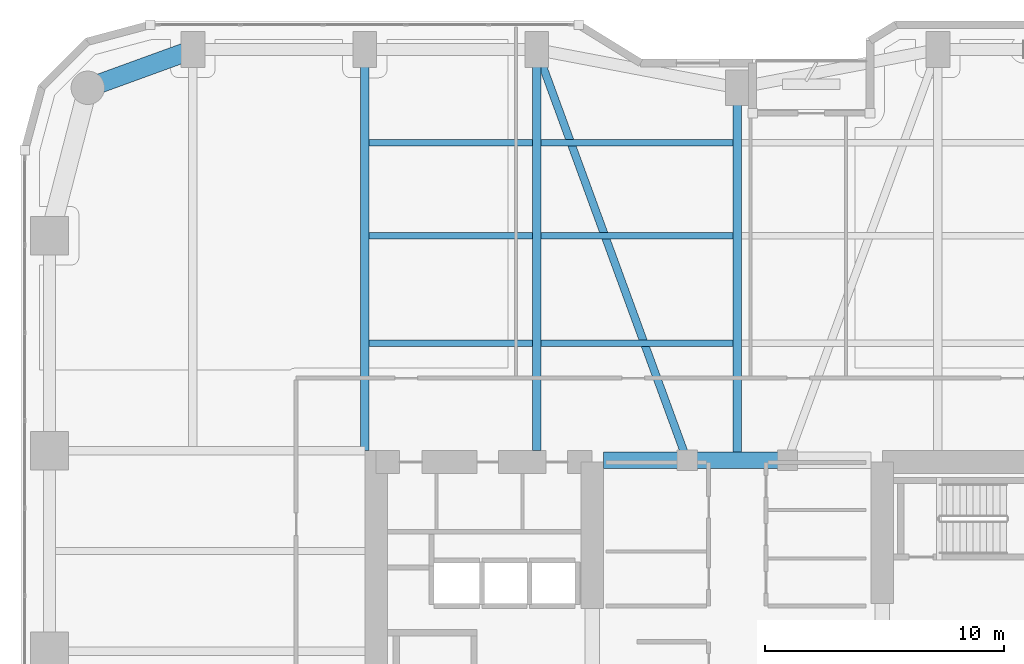
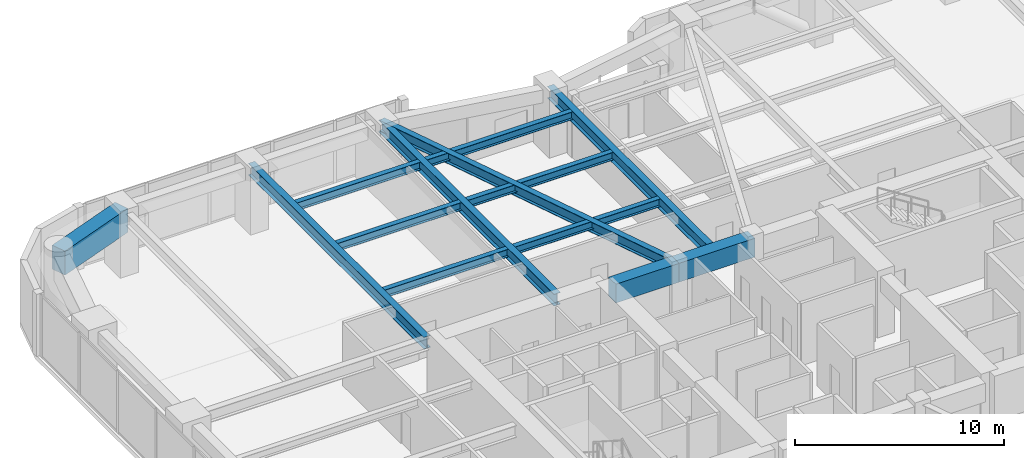
# One storey, part 15 of 28: 13 beams.
"""IFC4 building model written with IfcOpenShell, lengths in metres."""

from ifc_helpers import new_model, si_unit, direction, frame, origin, origin_2d, place, context, subcontext, project, spatial, rectangle, i_section, extrude, material, material_profile, profile_set, type_object, element, save


model = new_model("IFC4")

# Units and contexts
model_context = context("Model", 3, precision=1e-05, world=origin(), true_north=direction((0.0, 1.0)))
body_context = subcontext(model_context, "Body", "Model", "MODEL_VIEW")
ifc_project = project(units=[si_unit("LENGTHUNIT", "METRE"), si_unit("AREAUNIT", "SQUARE_METRE"), si_unit("VOLUMEUNIT", "CUBIC_METRE"), si_unit("PLANEANGLEUNIT", "RADIAN"), si_unit("MASSUNIT", "GRAM", prefix="KILO")], contexts=[model_context])

# Site, building, storey
site_placement = place(None, origin())
site = spatial("IfcSite", under=ifc_project, at=site_placement, CompositionType="ELEMENT")
building_placement = place(site_placement, origin())
building = spatial("IfcBuilding", under=site, at=building_placement, Name="Kiyonajd Concourse Tower", CompositionType="ELEMENT")
storey_placement = place(building_placement, frame((0.0, 0.0, 64.5)))
storey = spatial("IfcBuildingStorey", under=building, at=storey_placement, Name="L17", CompositionType="ELEMENT", Elevation=64.5)

# Beams
ifc_material_1 = material(Name="Concrete C70/85", Category="concrete")
ifc_material_profile_1 = material_profile(ifc_material_1, rectangle(XDim=0.699951171875, YDim=1.10009765625, at=origin_2d()), Name="RCBM-700x1100")
ifc_profile_set_1 = profile_set([ifc_material_profile_1], Name="Concrete C70/85")
beam_type_1 = type_object("IfcBeamType", Name="BM-COUP-1100", PredefinedType="LINTEL", material=ifc_profile_set_1)
beam_1_placement = place(storey_placement, frame((42.39990234375, 44.0, 3.090087890625), z_axis=(1.0, 0.0, 0.0), x_axis=(0.0, 1.0, 0.0)))
element("IfcBeam", 1, at=beam_1_placement, inside=storey, type_object=beam_type_1, Name="L17 Core Coupling Beam N1", PredefinedType="LINTEL", context=body_context, shape_type="SweptSolid", body=[
    extrude(rectangle(XDim=0.699951171875, YDim=1.10009765625, at=origin_2d()), origin(), (0.0, 0.0, 1.0), 3.5),
])
beam_2_placement = place(storey_placement, frame((45.89990234375, 44.0, 3.090087890625), z_axis=(1.0, 0.0, 0.0), x_axis=(0.0, 1.0, 0.0)))
element("IfcBeam", 2, at=beam_2_placement, inside=storey, type_object=beam_type_1, Name="L17 Core Coupling Beam N2", PredefinedType="LINTEL", context=body_context, shape_type="SweptSolid", body=[
    extrude(rectangle(XDim=0.699951171875, YDim=1.10009765625, at=origin_2d()), origin(), (0.0, 0.0, 1.0), 4.2001953125),
])
ifc_material_2 = material(Name="Steel ASTM A992 Grade 50", Category="steel")
ifc_material_profile_2 = material_profile(ifc_material_2, i_section(OverallWidth=0.280029296875, OverallDepth=0.462890625, WebThickness=0.0107421875, FlangeThickness=0.017333984375, at=origin_2d()), Name="W460X113")
ifc_profile_set_2 = profile_set([ifc_material_profile_2], Name="Steel ASTM A992 Grade 50")
beam_type_2 = type_object("IfcBeamType", Name="BM-JST-460A", PredefinedType="JOIST", material=ifc_profile_set_2)
beam_3_placement = place(storey_placement, frame((32.577392578125, 48.89990234375, 3.408447265625), z_axis=(1.0, 0.0, 0.0), x_axis=(0.0, 1.0, 0.0)))
element("IfcBeam", 3, at=beam_3_placement, inside=storey, type_object=beam_type_2, Name="L17 Secondary Floor Joist", PredefinedType="JOIST", context=body_context, shape_type="SweptSolid", body=[
    extrude(i_section(OverallWidth=0.280029296875, OverallDepth=0.462890625, WebThickness=0.0107421875, FlangeThickness=0.017333984375, at=origin_2d()), origin(), (0.0, 0.0, 1.0), 6.84521484375),
])
beam_4_placement = place(storey_placement, frame((39.777587890625, 48.89990234375, 3.408447265625), z_axis=(1.0, 0.0, 0.0), x_axis=(0.0, 1.0, 0.0)))
element("IfcBeam", 4, at=beam_4_placement, inside=storey, type_object=beam_type_2, Name="L17 Secondary Floor Joist", PredefinedType="JOIST", context=body_context, shape_type="SweptSolid", body=[
    extrude(i_section(OverallWidth=0.280029296875, OverallDepth=0.462890625, WebThickness=0.0107421875, FlangeThickness=0.017333984375, at=origin_2d()), origin(), (0.0, 0.0, 1.0), 8.044921875),
])
beam_5_placement = place(storey_placement, frame((32.577392578125, 53.39990234375, 3.408447265625), z_axis=(1.0, 0.0, 0.0), x_axis=(0.0, 1.0, 0.0)))
element("IfcBeam", 5, at=beam_5_placement, inside=storey, type_object=beam_type_2, Name="L17 Secondary Floor Joist", PredefinedType="JOIST", context=body_context, shape_type="SweptSolid", body=[
    extrude(i_section(OverallWidth=0.280029296875, OverallDepth=0.462890625, WebThickness=0.0107421875, FlangeThickness=0.017333984375, at=origin_2d()), origin(), (0.0, 0.0, 1.0), 6.84521484375),
])
beam_6_placement = place(storey_placement, frame((39.777587890625, 53.39990234375, 3.408447265625), z_axis=(1.0, 0.0, 0.0), x_axis=(0.0, 1.0, 0.0)))
element("IfcBeam", 6, at=beam_6_placement, inside=storey, type_object=beam_type_2, Name="L17 Secondary Floor Joist", PredefinedType="JOIST", context=body_context, shape_type="SweptSolid", body=[
    extrude(i_section(OverallWidth=0.280029296875, OverallDepth=0.462890625, WebThickness=0.0107421875, FlangeThickness=0.017333984375, at=origin_2d()), origin(), (0.0, 0.0, 1.0), 8.044921875),
])
beam_7_placement = place(storey_placement, frame((32.577392578125, 57.300048828125, 3.408447265625), z_axis=(1.0, 0.0, 0.0), x_axis=(0.0, 1.0, 0.0)))
element("IfcBeam", 7, at=beam_7_placement, inside=storey, type_object=beam_type_2, Name="L17 Secondary Floor Joist", PredefinedType="JOIST", context=body_context, shape_type="SweptSolid", body=[
    extrude(i_section(OverallWidth=0.280029296875, OverallDepth=0.462890625, WebThickness=0.0107421875, FlangeThickness=0.017333984375, at=origin_2d()), origin(), (0.0, 0.0, 1.0), 6.84521484375),
])
beam_8_placement = place(storey_placement, frame((39.777587890625, 57.300048828125, 3.408447265625), z_axis=(1.0, 0.0, 0.0), x_axis=(0.0, 1.0, 0.0)))
element("IfcBeam", 8, at=beam_8_placement, inside=storey, type_object=beam_type_2, Name="L17 Secondary Floor Joist", PredefinedType="JOIST", context=body_context, shape_type="SweptSolid", body=[
    extrude(i_section(OverallWidth=0.280029296875, OverallDepth=0.462890625, WebThickness=0.0107421875, FlangeThickness=0.017333984375, at=origin_2d()), origin(), (0.0, 0.0, 1.0), 8.044921875),
])
ifc_material_profile_3 = material_profile(ifc_material_2, i_section(OverallWidth=0.326904296875, OverallDepth=0.6220703125, WebThickness=0.015380859375, FlangeThickness=0.0244140625, at=origin_2d()), Name="W610X195")
ifc_profile_set_3 = profile_set([ifc_material_profile_3], Name="Steel ASTM A992 Grade 50")
beam_type_3 = type_object("IfcBeamType", Name="BM-TWR-610A", PredefinedType="BEAM", material=ifc_profile_set_3)
beam_9_placement = place(storey_placement, frame((39.60009765625, 61.199951171875, 3.3291015625), z_axis=(0.343925269715, -0.938997022813, 0.0), x_axis=(0.938997022813, 0.343925269715, 0.0)))
element("IfcBeam", 9, at=beam_9_placement, inside=storey, type_object=beam_type_3, Name="L17 Core Tie Girder", PredefinedType="BEAM", context=body_context, shape_type="SweptSolid", body=[
    extrude(i_section(OverallWidth=0.326904296875, OverallDepth=0.6220703125, WebThickness=0.015380859375, FlangeThickness=0.0244140625, at=origin_2d()), origin(), (0.0, 0.0, 1.0), 18.3173828125),
])
ifc_material_profile_4 = material_profile(ifc_material_2, i_section(OverallWidth=0.35498046875, OverallDepth=0.695068359375, WebThickness=0.015380859375, FlangeThickness=0.02490234375, at=origin_2d()), Name="W690X217")
ifc_profile_set_4 = profile_set([ifc_material_profile_4], Name="Steel ASTM A992 Grade 50")
beam_type_4 = type_object("IfcBeamType", Name="BM-TWR-690", PredefinedType="BEAM", material=ifc_profile_set_4)
for number, where, z_axis, x_axis, name in (
    (10, (32.39990234375, 44.39990234375, 3.29248046875), (0.0, 1.0, 0.0), (-1.0, 0.0, 0.0), "L17 North Lease Girder"),
    (11, (39.60009765625, 44.39990234375, 3.29248046875), (0.0, 1.0, 0.0), (-1.0, 0.0, 0.0), "L17 North Lease Girder"),
):
    element("IfcBeam", number, at=place(storey_placement, frame(where, z_axis=z_axis, x_axis=x_axis)), inside=storey, type_object=beam_type_4, Name=name, PredefinedType="BEAM", context=body_context, shape_type="SweptSolid", body=[
        extrude(i_section(OverallWidth=0.35498046875, OverallDepth=0.695068359375, WebThickness=0.015380859375, FlangeThickness=0.02490234375, at=origin_2d()), origin(), (0.0, 0.0, 1.0), 16.800048828125),
    ])
beam_10_placement = place(storey_placement, frame((48.0, 44.0, 3.29248046875), z_axis=(0.0, 1.0, 0.0), x_axis=(-1.0, 0.0, 0.0)))
element("IfcBeam", 12, at=beam_10_placement, inside=storey, type_object=beam_type_4, Name="L17 North Ribbon Girder", PredefinedType="BEAM", context=body_context, shape_type="SweptSolid", body=[
    extrude(i_section(OverallWidth=0.35498046875, OverallDepth=0.695068359375, WebThickness=0.015380859375, FlangeThickness=0.02490234375, at=origin_2d()), origin(), (0.0, 0.0, 1.0), 15.60009765625),
])
ifc_material_3 = material(Name="Concrete C60/75", Category="concrete")
ifc_material_profile_5 = material_profile(ifc_material_3, rectangle(XDim=0.800048828125, YDim=1.39990234375, at=origin_2d()), Name="RCBM-800x1400")
ifc_profile_set_5 = profile_set([ifc_material_profile_5], Name="Concrete C60/75")
beam_type_5 = type_object("IfcBeamType", Name="BM-XFER-RC", PredefinedType="BEAM", material=ifc_profile_set_5)
beam_11_placement = place(storey_placement, frame((25.199951171875, 61.199951171875, 2.93994140625), z_axis=(-0.939801036019, -0.341722127901, 0.0), x_axis=(0.341722127901, -0.939801036019, 0.0)))
element("IfcBeam", 13, at=beam_11_placement, inside=storey, type_object=beam_type_5, Name="L17 Perimeter Bundled Tube Spandrel", PredefinedType="BEAM", context=body_context, shape_type="SweptSolid", body=[
    extrude(rectangle(XDim=0.800048828125, YDim=1.39990234375, at=origin_2d()), origin(), (0.0, 0.0, 1.0), 4.681640625),
])

save(model, "model.ifc")
